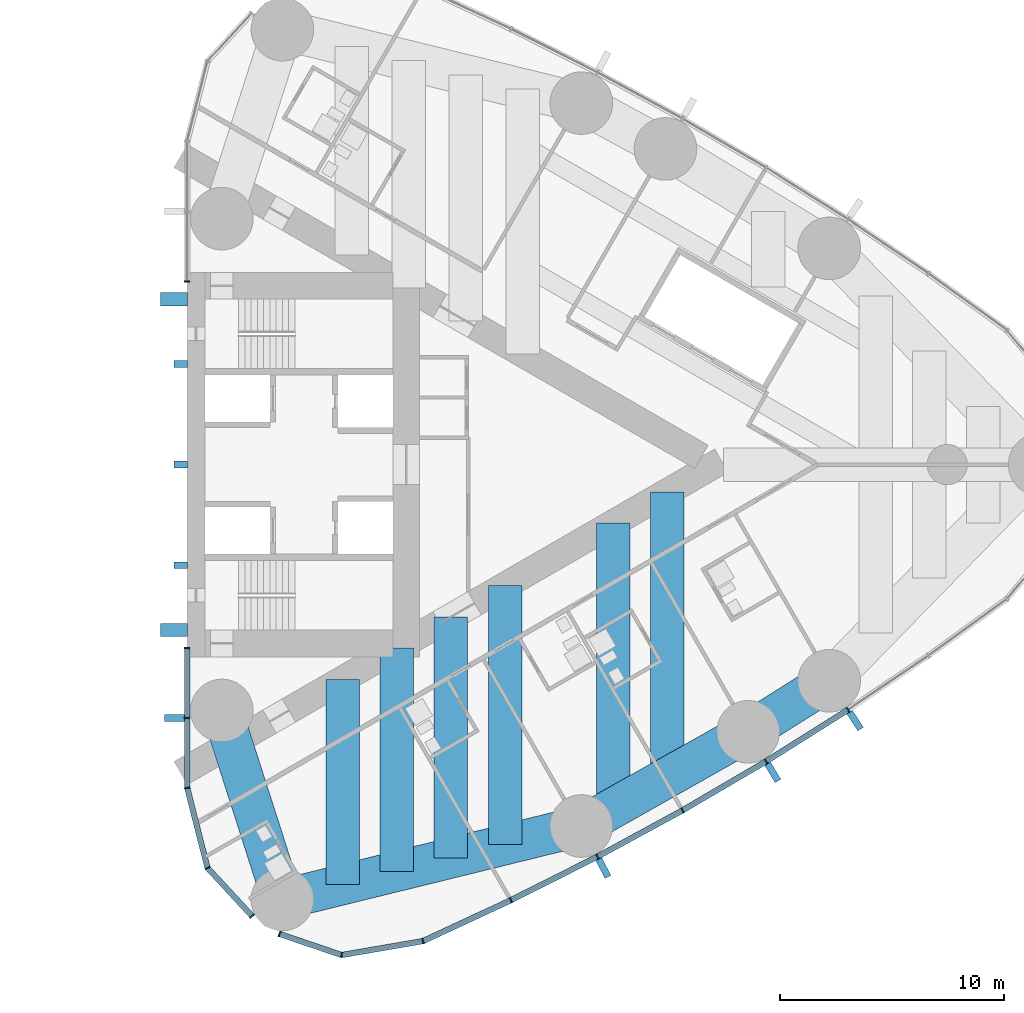
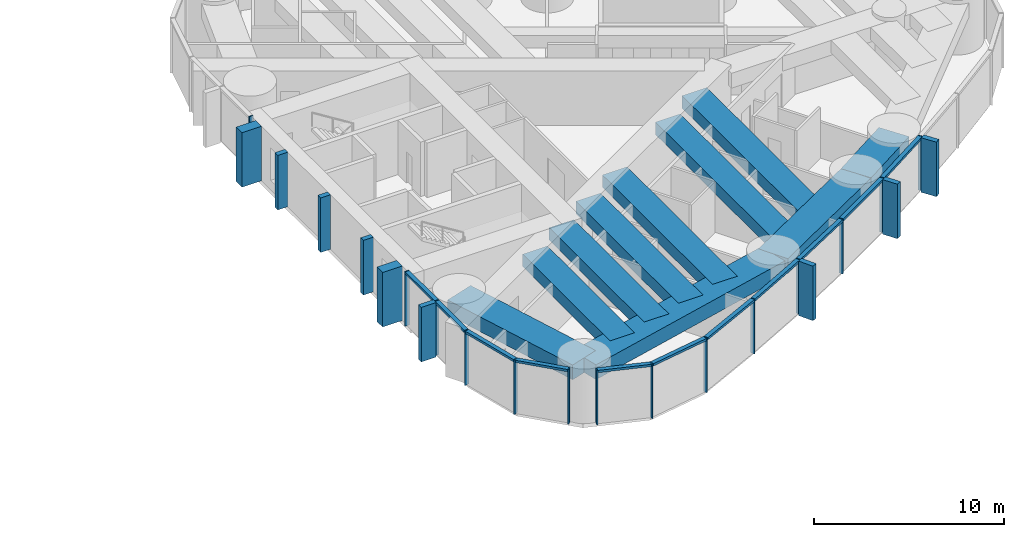
# One storey, part 6 of 19: 34 members, 10 beams, 3 elements without a shape of their own.
"""IFC4 building model written with IfcOpenShell, lengths in metres."""

from ifc_helpers import new_model, si_unit, direction, frame, origin, origin_2d, place, context, subcontext, project, spatial, rectangle, extrude, material, material_profile, profile_set, type_object, element, aggregate, save


model = new_model("IFC4")

# Units and contexts
model_context = context("Model", 3, precision=1e-05, world=origin(), true_north=direction((0.0, 1.0)))
body_context = subcontext(model_context, "Body", "Model", "MODEL_VIEW")
ifc_project = project(units=[si_unit("LENGTHUNIT", "METRE"), si_unit("AREAUNIT", "SQUARE_METRE"), si_unit("VOLUMEUNIT", "CUBIC_METRE"), si_unit("PLANEANGLEUNIT", "RADIAN"), si_unit("MASSUNIT", "GRAM", prefix="KILO")], contexts=[model_context])

# Site, building, storey
site_placement = place(None, origin())
site = spatial("IfcSite", under=ifc_project, at=site_placement, CompositionType="ELEMENT")
building_placement = place(site_placement, origin())
building = spatial("IfcBuilding", under=site, at=building_placement, Name="Lancet Gate Hotel", CompositionType="ELEMENT")
storey_placement = place(building_placement, frame((0.0, 0.0, 194.800048828125)))
storey = spatial("IfcBuildingStorey", under=building, at=storey_placement, Name="L52", CompositionType="ELEMENT", Elevation=194.800048828125)

# Curtain wall, members
ifc_material_1 = material(Name="Aluminium curtain wall", Category="aluminium")
curtain_wall_type = type_object("IfcCurtainWallType", Name="Tower unitised curtain wall", PredefinedType="USERDEFINED", material=ifc_material_1)
curtain_wall_1_placement = place(storey_placement, origin())
curtain_wall_1 = element("IfcCurtainWall", 1, at=curtain_wall_1_placement, inside=storey, type_object=curtain_wall_type, Name="T2 L52 curtain wall 1", ObjectType="UNITISED CURTAIN WALL", PredefinedType="USERDEFINED")
ifc_material_2 = material(Name="Aluminium mullion", Category="aluminium")
ifc_material_profile_1 = material_profile(ifc_material_2, rectangle(XDim=0.06494140625, YDim=0.25, at=origin_2d()), Name="MULLION 65x250")
ifc_profile_set_1 = profile_set([ifc_material_profile_1], Name="Aluminium mullion")
member_type_1 = type_object("IfcMemberType", Name="Aluminium mullion 65x250", PredefinedType="MULLION", material=ifc_profile_set_1)
member_1_placement = place(storey_placement, frame((27.5, -8.199951171875, 0.0), z_axis=(0.0, 0.0, 1.0), x_axis=(0.0, -1.0, 0.0)))
member_1 = element("IfcMember", 2, at=member_1_placement, type_object=member_type_1, Name="T2 L52 curtain wall 1 mullion 1", PredefinedType="MULLION", context=body_context, shape_type="SweptSolid", body=[
    extrude(rectangle(XDim=0.06494140625, YDim=0.25, at=origin_2d()), origin(), (0.0, 0.0, 1.0), 3.5),
])
member_2_placement = place(storey_placement, frame((27.5, -11.332763671875, 0.0), z_axis=(0.0, 0.0, 1.0), x_axis=(0.0, -1.0, 0.0)))
member_2 = element("IfcMember", 3, at=member_2_placement, type_object=member_type_1, Name="T2 L52 curtain wall 1 mullion 2", PredefinedType="MULLION", context=body_context, shape_type="SweptSolid", body=[
    extrude(rectangle(XDim=0.06494140625, YDim=0.25, at=origin_2d()), origin(), (0.0, 0.0, 1.0), 3.5),
])
member_3_placement = place(storey_placement, frame((27.5, -14.465576171875, 0.0), z_axis=(0.0, 0.0, 1.0), x_axis=(0.134206524909, -0.990953383703, 0.0)))
member_3 = element("IfcMember", 4, at=member_3_placement, type_object=member_type_1, Name="T2 L52 curtain wall 1 mullion 3", PredefinedType="MULLION", context=body_context, shape_type="SweptSolid", body=[
    extrude(rectangle(XDim=0.06494140625, YDim=0.25, at=origin_2d()), origin(), (0.0, 0.0, 1.0), 3.5),
])
member_4_placement = place(storey_placement, frame((28.408935546875, -18.04443359375, 0.0), z_axis=(0.0, 0.0, 1.0), x_axis=(0.451505925065, -0.892268120932, 0.0)))
member_4 = element("IfcMember", 5, at=member_4_placement, type_object=member_type_1, Name="T2 L52 curtain wall 1 mullion 4", PredefinedType="MULLION", context=body_context, shape_type="SweptSolid", body=[
    extrude(rectangle(XDim=0.06494140625, YDim=0.25, at=origin_2d()), origin(), (0.0, 0.0, 1.0), 3.5),
])
member_5_placement = place(storey_placement, frame((30.40185546875, -20.199951171875, 0.0), z_axis=(0.0, 0.0, 1.0), x_axis=(0.67883123083, -0.734294327943, 0.0)))
member_5 = element("IfcMember", 6, at=member_5_placement, type_object=member_type_1, Name="T2 L52 curtain wall 1 mullion 5", PredefinedType="MULLION", context=body_context, shape_type="SweptSolid", body=[
    extrude(rectangle(XDim=0.06494140625, YDim=0.25, at=origin_2d()), origin(), (0.0, 0.0, 1.0), 3.5),
])

curtain_wall_2_placement = place(storey_placement, origin())
curtain_wall_2 = element("IfcCurtainWall", 7, at=curtain_wall_2_placement, inside=storey, type_object=curtain_wall_type, Name="T2 L52 curtain wall 2", ObjectType="UNITISED CURTAIN WALL", PredefinedType="USERDEFINED")
member_6_placement = place(storey_placement, frame((31.631591796875, -20.998779296875, 0.0), z_axis=(0.0, 0.0, 1.0), x_axis=(0.946952368511, -0.321373943827, 0.0)))
member_6 = element("IfcMember", 8, at=member_6_placement, type_object=member_type_1, Name="T2 L52 curtain wall 2 mullion 1", PredefinedType="MULLION", context=body_context, shape_type="SweptSolid", body=[
    extrude(rectangle(XDim=0.06494140625, YDim=0.25, at=origin_2d()), origin(), (0.0, 0.0, 1.0), 3.5),
])
member_7_placement = place(storey_placement, frame((34.412109375, -21.9423828125, 0.0), z_axis=(0.0, 0.0, 1.0), x_axis=(0.99877556888, -0.049470829879, 0.0)))
member_7 = element("IfcMember", 9, at=member_7_placement, type_object=member_type_1, Name="T2 L52 curtain wall 2 mullion 2", PredefinedType="MULLION", context=body_context, shape_type="SweptSolid", body=[
    extrude(rectangle(XDim=0.06494140625, YDim=0.25, at=origin_2d()), origin(), (0.0, 0.0, 1.0), 3.5),
])
member_8_placement = place(storey_placement, frame((38.05126953125, -21.31689453125, 0.0), z_axis=(0.0, 0.0, 1.0), x_axis=(0.951355493327, 0.308095318555, 0.0)))
member_8 = element("IfcMember", 10, at=member_8_placement, type_object=member_type_1, Name="T2 L52 curtain wall 2 mullion 3", PredefinedType="MULLION", context=body_context, shape_type="SweptSolid", body=[
    extrude(rectangle(XDim=0.06494140625, YDim=0.25, at=origin_2d()), origin(), (0.0, 0.0, 1.0), 3.5),
])
member_9_placement = place(storey_placement, frame((41.98193359375, -19.490966796875, 0.0), z_axis=(0.0, 0.0, 1.0), x_axis=(0.900141333422, 0.435597956681, 0.0)))
member_9 = element("IfcMember", 11, at=member_9_placement, type_object=member_type_1, Name="T2 L52 curtain wall 2 mullion 4", PredefinedType="MULLION", context=body_context, shape_type="SweptSolid", body=[
    extrude(rectangle(XDim=0.06494140625, YDim=0.25, at=origin_2d()), origin(), (0.0, 0.0, 1.0), 3.5),
])
member_10_placement = place(storey_placement, frame((45.8525390625, -17.54150390625, 0.0), z_axis=(0.0, 0.0, 1.0), x_axis=(0.885877049989, 0.463920092584, 0.0)))
member_10 = element("IfcMember", 12, at=member_10_placement, type_object=member_type_1, Name="T2 L52 curtain wall 2 mullion 5", PredefinedType="MULLION", context=body_context, shape_type="SweptSolid", body=[
    extrude(rectangle(XDim=0.06494140625, YDim=0.25, at=origin_2d()), origin(), (0.0, 0.0, 1.0), 3.5),
])
member_11_placement = place(storey_placement, frame((49.65966796875, -15.47021484375, 0.0), z_axis=(0.0, 0.0, 1.0), x_axis=(0.870721916932, 0.491775704336, 0.0)))
member_11 = element("IfcMember", 13, at=member_11_placement, type_object=member_type_1, Name="T2 L52 curtain wall 2 mullion 6", PredefinedType="MULLION", context=body_context, shape_type="SweptSolid", body=[
    extrude(rectangle(XDim=0.06494140625, YDim=0.25, at=origin_2d()), origin(), (0.0, 0.0, 1.0), 3.5),
])
member_12_placement = place(storey_placement, frame((53.39892578125, -13.279541015625, 0.0), z_axis=(0.0, 0.0, 1.0), x_axis=(0.854691174453, 0.519136779965, 0.0)))
member_12 = element("IfcMember", 14, at=member_12_placement, type_object=member_type_1, Name="T2 L52 curtain wall 2 mullion 7", PredefinedType="MULLION", context=body_context, shape_type="SweptSolid", body=[
    extrude(rectangle(XDim=0.06494140625, YDim=0.25, at=origin_2d()), origin(), (0.0, 0.0, 1.0), 3.5),
])
member_13_placement = place(storey_placement, frame((57.067138671875, -10.970947265625, 0.0), z_axis=(0.0, 0.0, 1.0), x_axis=(0.837800943278, 0.545975804815, 0.0)))
member_13 = element("IfcMember", 15, at=member_13_placement, type_object=member_type_1, Name="T2 L52 curtain wall 2 mullion 8", PredefinedType="MULLION", context=body_context, shape_type="SweptSolid", body=[
    extrude(rectangle(XDim=0.06494140625, YDim=0.25, at=origin_2d()), origin(), (0.0, 0.0, 1.0), 3.5),
])

# Curtain wall, member
curtain_wall_3_placement = place(storey_placement, origin())
curtain_wall_3 = element("IfcCurtainWall", 16, at=curtain_wall_3_placement, inside=storey, type_object=curtain_wall_type, Name="T2 L52 curtain wall 4", ObjectType="UNITISED CURTAIN WALL", PredefinedType="USERDEFINED")
member_14_placement = place(storey_placement, frame((27.5, 8.199951171875, 0.0), z_axis=(0.0, 0.0, 1.0), x_axis=(0.0, -1.0, 0.0)))
member_14 = element("IfcMember", 17, at=member_14_placement, type_object=member_type_1, Name="T2 L52 curtain wall 4 mullion 5", PredefinedType="MULLION", context=body_context, shape_type="SweptSolid", body=[
    extrude(rectangle(XDim=0.06494140625, YDim=0.25, at=origin_2d()), origin(), (0.0, 0.0, 1.0), 3.5),
])
aggregate(curtain_wall_3, [member_14])

# Member
ifc_material_3 = material(Name="Aluminium transom", Category="aluminium")
ifc_material_profile_2 = material_profile(ifc_material_3, rectangle(XDim=0.25, YDim=0.14990234375, at=origin_2d()), Name="TRANSOM 250x150")
ifc_profile_set_2 = profile_set([ifc_material_profile_2], Name="Aluminium transom")
member_type_2 = type_object("IfcMemberType", Name="Aluminium transom 250x150", PredefinedType="USERDEFINED", material=ifc_profile_set_2)
member_15_placement = place(storey_placement, frame((27.5, -8.232421875, 3.425048828125), z_axis=(0.0, -1.0, 0.0), x_axis=(1.0, 0.0, 0.0)))
member_15 = element("IfcMember", 18, at=member_15_placement, type_object=member_type_2, Name="T2 L52 curtain wall 1 transom 1", ObjectType="TRANSOM", PredefinedType="USERDEFINED", context=body_context, shape_type="SweptSolid", body=[
    extrude(rectangle(XDim=0.25, YDim=0.14990234375, at=origin_2d()), origin(), (0.0, 0.0, 1.0), 3.06787109375),
])

member_16_placement = place(storey_placement, frame((27.5, -11.365234375, 3.425048828125), z_axis=(0.0, -1.0, 0.0), x_axis=(1.0, 0.0, 0.0)))
member_16 = element("IfcMember", 19, at=member_16_placement, type_object=member_type_2, Name="T2 L52 curtain wall 1 transom 2", ObjectType="TRANSOM", PredefinedType="USERDEFINED", context=body_context, shape_type="SweptSolid", body=[
    extrude(rectangle(XDim=0.25, YDim=0.14990234375, at=origin_2d()), origin(), (0.0, 0.0, 1.0), 3.06787109375),
])

member_17_placement = place(storey_placement, frame((27.508056640625, -14.4970703125, 3.425048828125), z_axis=(0.246128756616, -0.969237140831, 0.0), x_axis=(0.969237140831, 0.246128756616, 0.0)))
member_17 = element("IfcMember", 20, at=member_17_placement, type_object=member_type_2, Name="T2 L52 curtain wall 1 transom 3", ObjectType="TRANSOM", PredefinedType="USERDEFINED", context=body_context, shape_type="SweptSolid", body=[
    extrude(rectangle(XDim=0.25, YDim=0.14990234375, at=origin_2d()), origin(), (0.0, 0.0, 1.0), 3.62744140625),
])

member_18_placement = place(storey_placement, frame((28.43115234375, -18.068359375, 3.425048828125), z_axis=(0.678792146129, -0.734330458549, 0.0), x_axis=(0.734330458549, 0.678792146129, 0.0)))
member_18 = element("IfcMember", 21, at=member_18_placement, type_object=member_type_2, Name="T2 L52 curtain wall 1 transom 4", ObjectType="TRANSOM", PredefinedType="USERDEFINED", context=body_context, shape_type="SweptSolid", body=[
    extrude(rectangle(XDim=0.25, YDim=0.14990234375, at=origin_2d()), origin(), (0.0, 0.0, 1.0), 2.87060546875),
])

member_19_placement = place(storey_placement, frame((31.662353515625, -21.00927734375, 3.425048828125), z_axis=(0.946943122832, -0.321401185625, 0.0), x_axis=(0.321401185625, 0.946943122832, 0.0)))
member_19 = element("IfcMember", 22, at=member_19_placement, type_object=member_type_2, Name="T2 L52 curtain wall 2 transom 1", ObjectType="TRANSOM", PredefinedType="USERDEFINED", context=body_context, shape_type="SweptSolid", body=[
    extrude(rectangle(XDim=0.25, YDim=0.14990234375, at=origin_2d()), origin(), (0.0, 0.0, 1.0), 2.871337890625),
])

member_20_placement = place(storey_placement, frame((34.444091796875, -21.93701171875, 3.425048828125), z_axis=(0.985536950873, 0.169460669373, 0.0), x_axis=(-0.169460669373, 0.985536950873, 0.0)))
member_20 = element("IfcMember", 23, at=member_20_placement, type_object=member_type_2, Name="T2 L52 curtain wall 2 transom 2", ObjectType="TRANSOM", PredefinedType="USERDEFINED", context=body_context, shape_type="SweptSolid", body=[
    extrude(rectangle(XDim=0.25, YDim=0.14990234375, at=origin_2d()), origin(), (0.0, 0.0, 1.0), 3.627685546875),
])

member_21_placement = place(storey_placement, frame((38.080810546875, -21.30322265625, 3.425048828125), z_axis=(0.906913768492, 0.421316290357, 0.0), x_axis=(-0.421316290357, 0.906913768492, 0.0)))
member_21 = element("IfcMember", 24, at=member_21_placement, type_object=member_type_2, Name="T2 L52 curtain wall 2 transom 3", ObjectType="TRANSOM", PredefinedType="USERDEFINED", context=body_context, shape_type="SweptSolid", body=[
    extrude(rectangle(XDim=0.25, YDim=0.14990234375, at=origin_2d()), origin(), (0.0, 0.0, 1.0), 4.26904296875),
])

member_22_placement = place(storey_placement, frame((42.010986328125, -19.476318359375, 3.425048828125), z_axis=(0.893130969207, 0.449796700571, 0.0), x_axis=(-0.449796700571, 0.893130969207, 0.0)))
member_22 = element("IfcMember", 25, at=member_22_placement, type_object=member_type_2, Name="T2 L52 curtain wall 2 transom 4", ObjectType="TRANSOM", PredefinedType="USERDEFINED", context=body_context, shape_type="SweptSolid", body=[
    extrude(rectangle(XDim=0.25, YDim=0.14990234375, at=origin_2d()), origin(), (0.0, 0.0, 1.0), 4.26904296875),
])

member_23_placement = place(storey_placement, frame((45.881103515625, -17.526123046875, 3.425048828125), z_axis=(0.878404302735, 0.477918278513, 0.0), x_axis=(-0.477918278513, 0.878404302735, 0.0)))
member_23 = element("IfcMember", 26, at=member_23_placement, type_object=member_type_2, Name="T2 L52 curtain wall 2 transom 5", ObjectType="TRANSOM", PredefinedType="USERDEFINED", context=body_context, shape_type="SweptSolid", body=[
    extrude(rectangle(XDim=0.25, YDim=0.14990234375, at=origin_2d()), origin(), (0.0, 0.0, 1.0), 4.26904296875),
])

member_24_placement = place(storey_placement, frame((49.687744140625, -15.453857421875, 3.425048828125), z_axis=(0.862825279032, 0.505502262966, 0.0), x_axis=(-0.505502262966, 0.862825279032, 0.0)))
member_24 = element("IfcMember", 27, at=member_24_placement, type_object=member_type_2, Name="T2 L52 curtain wall 2 transom 6", ObjectType="TRANSOM", PredefinedType="USERDEFINED", context=body_context, shape_type="SweptSolid", body=[
    extrude(rectangle(XDim=0.25, YDim=0.14990234375, at=origin_2d()), origin(), (0.0, 0.0, 1.0), 4.26904296875),
])

member_25_placement = place(storey_placement, frame((53.426513671875, -13.26220703125, 3.425048828125), z_axis=(0.846333101657, 0.532653997488, 0.0), x_axis=(-0.532653997488, 0.846333101657, 0.0)))
member_25 = element("IfcMember", 28, at=member_25_placement, type_object=member_type_2, Name="T2 L52 curtain wall 2 transom 7", ObjectType="TRANSOM", PredefinedType="USERDEFINED", context=body_context, shape_type="SweptSolid", body=[
    extrude(rectangle(XDim=0.25, YDim=0.14990234375, at=origin_2d()), origin(), (0.0, 0.0, 1.0), 4.26904296875),
])

# Beams
ifc_material_4 = material(Name="Concrete C50/60", Category="concrete")
ifc_material_profile_3 = material_profile(ifc_material_4, rectangle(XDim=1.800048828125, YDim=0.949951171875, at=origin_2d()), Name="RC 1800x950")
ifc_profile_set_3 = profile_set([ifc_material_profile_3], Name="Concrete C50/60")
beam_type_1 = type_object("IfcBeamType", Name="Edge beam RC 1800x950", PredefinedType="SPANDREL", material=ifc_profile_set_3)
beam_1_placement = place(storey_placement, frame((31.759765625, -19.455810546875, 2.77490234375), z_axis=(0.971093253227, 0.238700426344, 0.0), x_axis=(-0.238700426344, 0.971093253227, 0.0)))
element("IfcBeam", 29, at=beam_1_placement, inside=storey, type_object=beam_type_1, Name="T2 edge beam EB1 L52", PredefinedType="SPANDREL", context=body_context, shape_type="SweptSolid", body=[
    extrude(rectangle(XDim=1.800048828125, YDim=0.949951171875, at=origin_2d()), origin(), (0.0, 0.0, 1.0), 13.77197265625),
])
beam_2_placement = place(storey_placement, frame((45.133544921875, -16.16845703125, 2.77490234375), z_axis=(0.870721990329, 0.491775574381, 0.0), x_axis=(-0.491775574381, 0.870721990329, 0.0)))
element("IfcBeam", 30, at=beam_2_placement, inside=storey, type_object=beam_type_1, Name="T2 edge beam EB1 L52", PredefinedType="SPANDREL", context=body_context, shape_type="SweptSolid", body=[
    extrude(rectangle(XDim=1.800048828125, YDim=0.949951171875, at=origin_2d()), origin(), (0.0, 0.0, 1.0), 8.568603515625),
])
beam_3_placement = place(storey_placement, frame((52.594482421875, -11.95458984375, 2.77490234375), z_axis=(0.846348902569, 0.532628890617, 0.0), x_axis=(-0.532628890617, 0.846348902569, 0.0)))
element("IfcBeam", 31, at=beam_3_placement, inside=storey, type_object=beam_type_1, Name="T2 edge beam EB1 L52", PredefinedType="SPANDREL", context=body_context, shape_type="SweptSolid", body=[
    extrude(rectangle(XDim=1.800048828125, YDim=0.949951171875, at=origin_2d()), origin(), (0.0, 0.0, 1.0), 4.284912109375),
])
beam_4_placement = place(storey_placement, frame((31.759765625, -19.455810546875, 2.77490234375), z_axis=(-0.305169772986, 0.952297962644, 0.0), x_axis=(-0.952297962644, -0.305169772986, 0.0)))
element("IfcBeam", 32, at=beam_4_placement, inside=storey, type_object=beam_type_1, Name="T2 edge beam EB1 L52", PredefinedType="SPANDREL", context=body_context, shape_type="SweptSolid", body=[
    extrude(rectangle(XDim=1.800048828125, YDim=0.949951171875, at=origin_2d()), origin(), (0.0, 0.0, 1.0), 8.87939453125),
])

# Members
ifc_material_5 = material(Name="Concrete C60/75", Category="concrete")
ifc_material_profile_4 = material_profile(ifc_material_5, rectangle(XDim=0.60009765625, YDim=1.199951171875, at=origin_2d()), Name="FIN 600x1200")
ifc_profile_set_4 = profile_set([ifc_material_profile_4], Name="Concrete C60/75")
member_type_3 = type_object("IfcMemberType", Name="Exposed concrete buttress pilaster 600x1200", PredefinedType="USERDEFINED", material=ifc_profile_set_4)
for number, where, z_axis, x_axis, name in (
    (33, (26.909912109375, -7.39990234375, 0.0), (0.0, 0.0, 1.0), (0.0, 1.0, 0.0), "T2 buttress pilaster S L52"),
    (34, (26.909912109375, 7.39990234375, 0.0), (0.0, 0.0, 1.0), (0.0, 1.0, 0.0), "T2 buttress pilaster N L52"),
):
    element("IfcMember", number, at=place(storey_placement, frame(where, z_axis=z_axis, x_axis=x_axis)), inside=storey, type_object=member_type_3, Name=name, ObjectType="FIN", PredefinedType="USERDEFINED", context=body_context, shape_type="SweptSolid", body=[
        extrude(rectangle(XDim=0.60009765625, YDim=1.199951171875, at=origin_2d()), origin(), (0.0, 0.0, 1.0), 3.5),
    ])

# Member
ifc_material_6 = material(Name="Precast concrete C50/60", Category="concrete")
ifc_material_profile_5 = material_profile(ifc_material_6, rectangle(XDim=0.300048828125, YDim=0.89990234375, at=origin_2d()), Name="FIN 300x900")
ifc_profile_set_5 = profile_set([ifc_material_profile_5], Name="Precast concrete C50/60")
member_type_4 = type_object("IfcMemberType", Name="Exposed concrete fin 300x900", PredefinedType="USERDEFINED", material=ifc_profile_set_5)
member_26_placement = place(storey_placement, frame((26.925048828125, -11.332763671875, 0.0), z_axis=(0.0, 0.0, 1.0), x_axis=(0.0, -1.0, 0.0)))
member_26 = element("IfcMember", 35, at=member_26_placement, type_object=member_type_4, Name="T2 L52 curtain wall 1 fin 2", ObjectType="FIN", PredefinedType="USERDEFINED", context=body_context, shape_type="SweptSolid", body=[
    extrude(rectangle(XDim=0.300048828125, YDim=0.89990234375, at=origin_2d()), origin(), (0.0, 0.0, 1.0), 3.5),
])

aggregate(curtain_wall_1, [member_1, member_2, member_26, member_3, member_4, member_5, member_15, member_16, member_17, member_18])

member_27_placement = place(storey_placement, frame((46.119384765625, -18.051025390625, 0.0), z_axis=(0.0, 0.0, 1.0), x_axis=(0.885877049989, 0.463920092584, 0.0)))
member_27 = element("IfcMember", 36, at=member_27_placement, type_object=member_type_4, Name="T2 L52 curtain wall 2 fin 5", ObjectType="FIN", PredefinedType="USERDEFINED", context=body_context, shape_type="SweptSolid", body=[
    extrude(rectangle(XDim=0.300048828125, YDim=0.89990234375, at=origin_2d()), origin(), (0.0, 0.0, 1.0), 3.5),
])

member_28_placement = place(storey_placement, frame((53.697509765625, -13.770751953125, 0.0), z_axis=(0.0, 0.0, 1.0), x_axis=(0.854691174453, 0.519136779965, 0.0)))
member_28 = element("IfcMember", 37, at=member_28_placement, type_object=member_type_4, Name="T2 L52 curtain wall 2 fin 7", ObjectType="FIN", PredefinedType="USERDEFINED", context=body_context, shape_type="SweptSolid", body=[
    extrude(rectangle(XDim=0.300048828125, YDim=0.89990234375, at=origin_2d()), origin(), (0.0, 0.0, 1.0), 3.5),
])

member_29_placement = place(storey_placement, frame((57.381103515625, -11.452880859375, 0.0), z_axis=(0.0, 0.0, 1.0), x_axis=(0.837800943278, 0.545975804815, 0.0)))
member_29 = element("IfcMember", 38, at=member_29_placement, type_object=member_type_4, Name="T2 L52 curtain wall 2 fin 8", ObjectType="FIN", PredefinedType="USERDEFINED", context=body_context, shape_type="SweptSolid", body=[
    extrude(rectangle(XDim=0.300048828125, YDim=0.89990234375, at=origin_2d()), origin(), (0.0, 0.0, 1.0), 3.5),
])

aggregate(curtain_wall_2, [member_6, member_7, member_8, member_9, member_10, member_27, member_11, member_12, member_28, member_13, member_29, member_19, member_20, member_21, member_22, member_23, member_24, member_25])

# Members
ifc_material_7 = material(Name="Concrete C60/75", Category="concrete")
ifc_material_profile_6 = material_profile(ifc_material_7, rectangle(XDim=0.300048828125, YDim=0.60009765625, at=origin_2d()), Name="FIN 300x600")
ifc_profile_set_6 = profile_set([ifc_material_profile_6], Name="Concrete C60/75")
member_type_5 = type_object("IfcMemberType", Name="Exposed concrete rib 300x600", PredefinedType="USERDEFINED", material=ifc_profile_set_6)
for number, where, z_axis, x_axis, name in (
    (39, (27.2099609375, -4.5, 0.0), (0.0, 0.0, 1.0), (0.0, 1.0, 0.0), "T2 core rib 1 L52"),
    (40, (27.2099609375, 0.0, 0.0), (0.0, 0.0, 1.0), (0.0, 1.0, 0.0), "T2 core rib 2 L52"),
    (41, (27.2099609375, 4.5, 0.0), (0.0, 0.0, 1.0), (0.0, 1.0, 0.0), "T2 core rib 3 L52"),
):
    element("IfcMember", number, at=place(storey_placement, frame(where, z_axis=z_axis, x_axis=x_axis)), inside=storey, type_object=member_type_5, Name=name, ObjectType="FIN", PredefinedType="USERDEFINED", context=body_context, shape_type="SweptSolid", body=[
        extrude(rectangle(XDim=0.300048828125, YDim=0.60009765625, at=origin_2d()), origin(), (0.0, 0.0, 1.0), 3.5),
    ])

# Beams
ifc_material_8 = material(Name="Concrete C50/60", Category="concrete")
ifc_material_profile_7 = material_profile(ifc_material_8, rectangle(XDim=1.5, YDim=0.800048828125, at=origin_2d()), Name="RC 1500x800")
ifc_profile_set_7 = profile_set([ifc_material_profile_7], Name="Concrete C50/60")
beam_type_2 = type_object("IfcBeamType", Name="Floor beam RC 1500x800", PredefinedType="BEAM", material=ifc_profile_set_7)
beam_5_placement = place(storey_placement, frame((34.460693359375, -18.7919921875, 2.849853515625), z_axis=(0.0, 1.0, 0.0), x_axis=(-1.0, 0.0, 0.0)))
element("IfcBeam", 42, at=beam_5_placement, inside=storey, type_object=beam_type_2, Name="T2 floor beam F01S L52", PredefinedType="BEAM", context=body_context, shape_type="SweptSolid", body=[
    extrude(rectangle(XDim=1.5, YDim=0.800048828125, at=origin_2d()), origin(), (0.0, 0.0, 1.0), 9.18408203125),
])
beam_6_placement = place(storey_placement, frame((36.880859375, -18.197021484375, 2.849853515625), z_axis=(0.0, 1.0, 0.0), x_axis=(-1.0, 0.0, 0.0)))
element("IfcBeam", 43, at=beam_6_placement, inside=storey, type_object=beam_type_2, Name="T2 floor beam F03S L52", PredefinedType="BEAM", context=body_context, shape_type="SweptSolid", body=[
    extrude(rectangle(XDim=1.5, YDim=0.800048828125, at=origin_2d()), origin(), (0.0, 0.0, 1.0), 9.986328125),
])
beam_7_placement = place(storey_placement, frame((39.301025390625, -17.60205078125, 2.849853515625), z_axis=(0.0, 1.0, 0.0), x_axis=(-1.0, 0.0, 0.0)))
element("IfcBeam", 44, at=beam_7_placement, inside=storey, type_object=beam_type_2, Name="T2 floor beam F05S L52", PredefinedType="BEAM", context=body_context, shape_type="SweptSolid", body=[
    extrude(rectangle(XDim=1.5, YDim=0.800048828125, at=origin_2d()), origin(), (0.0, 0.0, 1.0), 10.78857421875),
])
beam_8_placement = place(storey_placement, frame((41.721435546875, -17.007080078125, 2.849853515625), z_axis=(0.0, 1.0, 0.0), x_axis=(-1.0, 0.0, 0.0)))
element("IfcBeam", 45, at=beam_8_placement, inside=storey, type_object=beam_type_2, Name="T2 floor beam F07S L52", PredefinedType="BEAM", context=body_context, shape_type="SweptSolid", body=[
    extrude(rectangle(XDim=1.5, YDim=0.800048828125, at=origin_2d()), origin(), (0.0, 0.0, 1.0), 11.591064453125),
])
beam_9_placement = place(storey_placement, frame((46.561767578125, -15.36181640625, 2.849853515625), z_axis=(0.0, 1.0, 0.0), x_axis=(-1.0, 0.0, 0.0)))
element("IfcBeam", 46, at=beam_9_placement, inside=storey, type_object=beam_type_2, Name="T2 floor beam F09S L52", PredefinedType="BEAM", context=body_context, shape_type="SweptSolid", body=[
    extrude(rectangle(XDim=1.5, YDim=0.800048828125, at=origin_2d()), origin(), (0.0, 0.0, 1.0), 12.740478515625),
])
beam_10_placement = place(storey_placement, frame((48.98193359375, -13.994873046875, 2.849853515625), z_axis=(0.0, 1.0, 0.0), x_axis=(-1.0, 0.0, 0.0)))
element("IfcBeam", 47, at=beam_10_placement, inside=storey, type_object=beam_type_2, Name="T2 floor beam F10S L52", PredefinedType="BEAM", context=body_context, shape_type="SweptSolid", body=[
    extrude(rectangle(XDim=1.5, YDim=0.800048828125, at=origin_2d()), origin(), (0.0, 0.0, 1.0), 12.770751953125),
])

save(model, "model.ifc")
